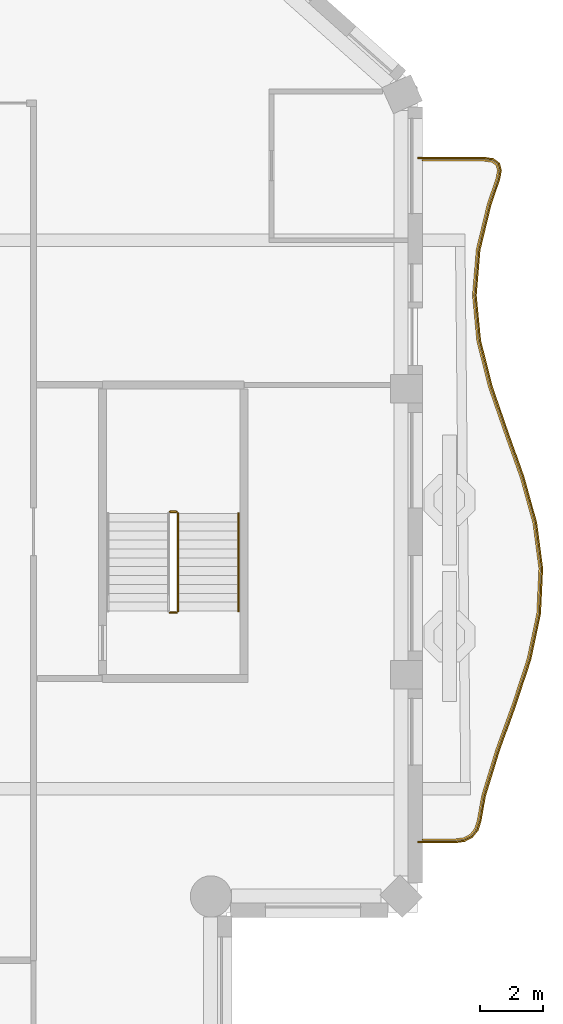
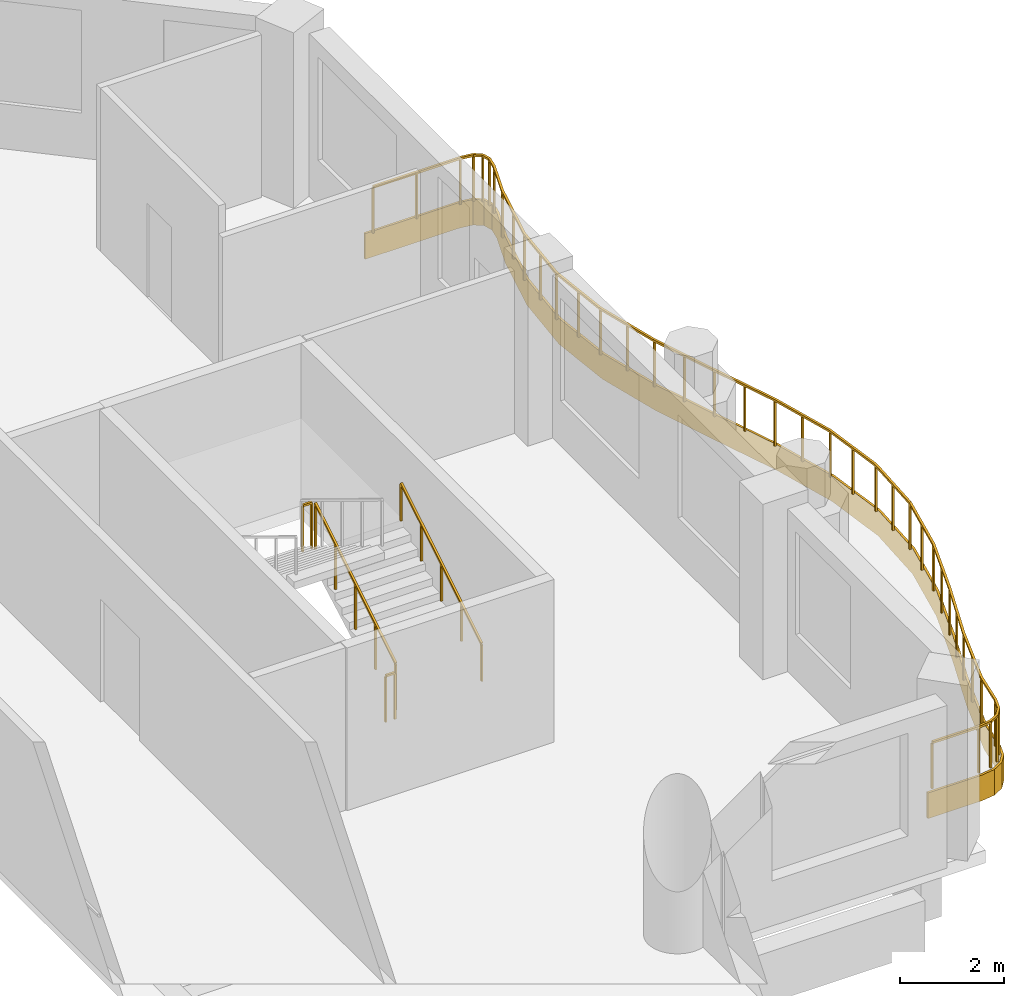
# One storey, part 13 of 15: 5 railings, 1 covering.
"""IFC4 building model written with IfcOpenShell, lengths in metres."""

from ifc_helpers import new_model, si_unit, direction, frame, origin, origin_2d, place, context, subcontext, project, spatial, polyline, rectangle, outline, extrude, material, layer, layer_set, type_object, element, save


model = new_model("IFC4")

# Units and contexts
model_context = context("Model", 3, precision=1e-05, world=origin(), true_north=direction((0.0, 1.0)))
body_context = subcontext(model_context, "Body", "Model", "MODEL_VIEW")
ifc_project = project(units=[si_unit("LENGTHUNIT", "METRE"), si_unit("AREAUNIT", "SQUARE_METRE"), si_unit("VOLUMEUNIT", "CUBIC_METRE"), si_unit("PLANEANGLEUNIT", "RADIAN"), si_unit("MASSUNIT", "GRAM", prefix="KILO")], contexts=[model_context])

# Site, building, storey
site_placement = place(None, origin())
site = spatial("IfcSite", under=ifc_project, at=site_placement, CompositionType="ELEMENT")
building_placement = place(site_placement, origin())
building = spatial("IfcBuilding", under=site, at=building_placement, Name="Cypress Arch Tower", CompositionType="ELEMENT")
storey_placement = place(building_placement, frame((0.0, 0.0, 259.800048828125)))
storey = spatial("IfcBuildingStorey", under=building, at=storey_placement, Name="L58", CompositionType="ELEMENT", Elevation=259.800048828125)

# Covering
ifc_material_1 = material(Name="White powder-coated aluminium fascia", Category="aluminium")
ifc_layer = layer(ifc_material_1, 0.050048828125)
ifc_layer_set = layer_set([ifc_layer], Name="Balcony fascia BF50")
covering_type = type_object("IfcCoveringType", Name="Balcony fascia BF50", PredefinedType="CLADDING", material=ifc_layer_set)
covering_placement = place(storey_placement, frame((0.0, 0.0, -0.60009765625)))
element("IfcCovering", 1, at=covering_placement, inside=storey, type_object=covering_type, Name="Balcony fascia L58-C17", PredefinedType="CLADDING", context=body_context, shape_type="SweptSolid", body=[
    extrude(outline(polyline([(26.68017578125, 11.800048828125), (26.980224609375, 11.757568359375), (27.176025390625, 11.61962890625), (27.2431640625, 11.3896484375), (27.186279296875, 11.092041015625), (26.916015625, 10.302734375), (26.569580078125, 8.875244140625), (26.450439453125, 7.4501953125), (26.587158203125, 6.025146484375), (26.94677734375, 4.59765625), (27.442138671875, 3.16650390625), (27.952392578125, 1.731689453125), (28.35205078125, 0.29345703125), (28.542236328125, -1.14794921875), (28.4755859375, -2.58984375), (28.168701171875, -4.02978515625), (27.697509765625, -5.46630859375), (27.1787109375, -6.899169921875), (26.7392578125, -8.328369140625), (26.59912109375, -9.1171875), (26.504150390625, -9.4111328125), (26.33349609375, -9.6279296875), (26.090087890625, -9.758056640625), (25.7841796875, -9.800048828125), (24.60107421875, -9.800048828125), (24.60107421875, -9.75), (25.78076171875, -9.75), (26.074462890625, -9.709716796875), (26.300537109375, -9.5888671875), (26.459228515625, -9.38720703125), (26.55029296875, -9.10498046875), (26.6904296875, -8.316650390625), (27.13134765625, -6.88330078125), (27.650390625, -5.449951171875), (28.1201171875, -4.0166015625), (28.42578125, -2.583251953125), (28.4921875, -1.14990234375), (28.302978515625, 0.283447265625), (27.90478515625, 1.716552734375), (27.39501953125, 3.14990234375), (26.898681640625, 4.583251953125), (26.53759765625, 6.0166015625), (26.400146484375, 7.449951171875), (26.52001953125, 8.88330078125), (26.867919921875, 10.316650390625), (27.1376953125, 11.10498046875), (27.191650390625, 11.38720703125), (27.1328125, 11.5888671875), (26.961181640625, 11.709716796875), (26.6767578125, 11.75), (24.60107421875, 11.75), (24.60107421875, 11.800048828125), (26.68017578125, 11.800048828125)])), origin(), (0.0, 0.0, 1.0), 0.60009765625),
])

# Railings
ifc_material_2 = material(Name="Powder-coated steel posts and rods, 100 mm clear between rods", Category="steel")
railing_type_1 = type_object("IfcRailingType", Name="Balcony guard GR1100", PredefinedType="GUARDRAIL", material=ifc_material_2)
railing_1_placement = place(storey_placement, frame((24.75, 11.699951171875, 0.0)))
element("IfcRailing", 2, at=railing_1_placement, inside=storey, type_object=railing_type_1, Name="Balcony guard L58-C17", PredefinedType="GUARDRAIL", context=body_context, shape_type="SweptSolid", body=[
    extrude(rectangle(XDim=0.050048828125, YDim=0.050048828125, at=origin_2d()), frame((0.0, 0.0, 1.0751953125), z_axis=(1.0, 0.0, 0.0), x_axis=(0.0, 1.0, 0.0)), (0.0, 0.0, 1.0), 1.92333984375),
    extrude(rectangle(XDim=0.050048828125, YDim=0.050048828125, at=origin_2d()), frame((1.92333984375, 0.0, 1.0751953125), z_axis=(0.990128391125, -0.140163365713, 0.0), x_axis=(0.140163365713, 0.990128391125, 0.0)), (0.0, 0.0, 1.0), 0.271728515625),
    extrude(rectangle(XDim=0.050048828125, YDim=0.050048828125, at=origin_2d()), frame((2.1923828125, -0.0380859375, 1.0751953125), z_axis=(0.817192775019, -0.576364440659, 0.0), x_axis=(0.576364440659, 0.817192775019, 0.0)), (0.0, 0.0, 1.0), 0.180419921875),
    extrude(rectangle(XDim=0.050048828125, YDim=0.050048828125, at=origin_2d()), frame((2.33984375, -0.14208984375, 1.0751953125), z_axis=(0.280259940984, -0.95992414569, 0.0), x_axis=(0.95992414569, 0.280259940984, 0.0)), (0.0, 0.0, 1.0), 0.180419921875),
    extrude(rectangle(XDim=0.050048828125, YDim=0.050048828125, at=origin_2d()), frame((2.390380859375, -0.315185546875, 1.0751953125), z_axis=(-0.18781405479, -0.982204602322, 0.0), x_axis=(0.982204602322, -0.18781405479, 0.0)), (0.0, 0.0, 1.0), 0.271728515625),
    extrude(rectangle(XDim=0.050048828125, YDim=0.050048828125, at=origin_2d()), frame((2.33935546875, -0.58203125, 1.0751953125), z_axis=(-0.323874276522, -0.946100128426, 0.0), x_axis=(0.946100128426, -0.323874276522, 0.0)), (0.0, 0.0, 1.0), 0.832275390625),
    extrude(rectangle(XDim=0.050048828125, YDim=0.050048828125, at=origin_2d()), frame((2.06982421875, -1.369384765625, 1.0751953125), z_axis=(-0.235897255412, -0.971778001855, 0.0), x_axis=(0.971778001855, -0.235897255412, 0.0)), (0.0, 0.0, 1.0), 1.48095703125),
    extrude(rectangle(XDim=0.050048828125, YDim=0.050048828125, at=origin_2d()), frame((1.720458984375, -2.80859375, 1.0751953125), z_axis=(-0.083366698614, -0.996518937884, 0.0), x_axis=(0.996518937884, -0.083366698614, 0.0)), (0.0, 0.0, 1.0), 1.44677734375),
    extrude(rectangle(XDim=0.050048828125, YDim=0.050048828125, at=origin_2d()), frame((1.599853515625, -4.250244140625, 1.0751953125), z_axis=(0.09558071033, -0.995421683415, 0.0), x_axis=(0.995421683415, 0.09558071033, 0.0)), (0.0, 0.0, 1.0), 1.4482421875),
    extrude(rectangle(XDim=0.050048828125, YDim=0.050048828125, at=origin_2d()), frame((1.73828125, -5.69189453125, 1.0751953125), z_axis=(0.24431593072, -0.969695687315, 0.0), x_axis=(0.969695687315, 0.24431593072, 0.0)), (0.0, 0.0, 1.0), 1.48388671875),
    extrude(rectangle(XDim=0.050048828125, YDim=0.050048828125, at=origin_2d()), frame((2.100830078125, -7.130859375, 1.0751953125), z_axis=(0.327198876846, -0.944955498947, 0.0), x_axis=(0.944955498947, 0.327198876846, 0.0)), (0.0, 0.0, 1.0), 1.519287109375),
    extrude(rectangle(XDim=0.050048828125, YDim=0.050048828125, at=origin_2d()), frame((2.597900390625, -8.56640625, 1.0751953125), z_axis=(0.335104742792, -0.942180880382, 0.0), x_axis=(0.942180880382, 0.335104742792, 0.0)), (0.0, 0.0, 1.0), 1.519775390625),
    extrude(rectangle(XDim=0.050048828125, YDim=0.050048828125, at=origin_2d()), frame((3.107177734375, -9.998291015625, 1.0751953125), z_axis=(0.267643863786, -0.96351790963, 0.0), x_axis=(0.96351790963, 0.267643863786, 0.0)), (0.0, 0.0, 1.0), 1.482421875),
    extrude(rectangle(XDim=0.050048828125, YDim=0.050048828125, at=origin_2d()), frame((3.50390625, -11.426513671875, 1.0751953125), z_axis=(0.13090688288, -0.991394668139, 0.0), x_axis=(0.991394668139, 0.13090688288, 0.0)), (0.0, 0.0, 1.0), 1.43798828125),
    extrude(rectangle(XDim=0.050048828125, YDim=0.050048828125, at=origin_2d()), frame((3.692138671875, -12.85205078125, 1.0751953125), z_axis=(-0.046385931084, -0.998923593373, 0.0), x_axis=(0.998923593373, -0.046385931084, 0.0)), (0.0, 0.0, 1.0), 1.42626953125),
    extrude(rectangle(XDim=0.050048828125, YDim=0.050048828125, at=origin_2d()), frame((3.6259765625, -14.27685546875, 1.0751953125), z_axis=(-0.20852322051, -0.97801741626, 0.0), x_axis=(0.97801741626, -0.20852322051, 0.0)), (0.0, 0.0, 1.0), 1.458740234375),
    extrude(rectangle(XDim=0.050048828125, YDim=0.050048828125, at=origin_2d()), frame((3.32177734375, -15.70361328125, 1.0751953125), z_axis=(-0.311502638206, -0.950245287487, 0.0), x_axis=(0.950245287487, -0.311502638206, 0.0)), (0.0, 0.0, 1.0), 1.5048828125),
    extrude(rectangle(XDim=0.050048828125, YDim=0.050048828125, at=origin_2d()), frame((2.85302734375, -17.133544921875, 1.0751953125), z_axis=(-0.340380071037, -0.940287938475, 0.0), x_axis=(0.940287938475, -0.340380071037, 0.0)), (0.0, 0.0, 1.0), 1.52490234375),
    extrude(rectangle(XDim=0.050048828125, YDim=0.050048828125, at=origin_2d()), frame((2.333984375, -18.5673828125, 1.0751953125), z_axis=(-0.293983183143, -0.955810592131, 0.0), x_axis=(0.955810592131, -0.293983183143, 0.0)), (0.0, 0.0, 1.0), 1.50390625),
    extrude(rectangle(XDim=0.050048828125, YDim=0.050048828125, at=origin_2d()), frame((1.891845703125, -20.0048828125, 1.0751953125), z_axis=(-0.175125344841, -0.984546145995, 0.0), x_axis=(0.984546145995, -0.175125344841, 0.0)), (0.0, 0.0, 1.0), 0.80029296875),
    extrude(rectangle(XDim=0.050048828125, YDim=0.050048828125, at=origin_2d()), frame((1.751708984375, -20.792724609375, 1.0751953125), z_axis=(-0.306676473275, -0.951813816216, 0.0), x_axis=(0.951813816216, -0.306676473275, 0.0)), (0.0, 0.0, 1.0), 0.2841796875),
    extrude(rectangle(XDim=0.050048828125, YDim=0.050048828125, at=origin_2d()), frame((1.66455078125, -21.063232421875, 1.0751953125), z_axis=(-0.618775972519, -0.785567499221, 0.0), x_axis=(0.785567499221, -0.618775972519, 0.0)), (0.0, 0.0, 1.0), 0.237060546875),
    extrude(rectangle(XDim=0.050048828125, YDim=0.050048828125, at=origin_2d()), frame((1.517822265625, -21.24951171875, 1.0751953125), z_axis=(-0.881724858893, -0.471764001604, 0.0), x_axis=(0.471764001604, -0.881724858893, 0.0)), (0.0, 0.0, 1.0), 0.237060546875),
    extrude(rectangle(XDim=0.050048828125, YDim=0.050048828125, at=origin_2d()), frame((1.308837890625, -21.361328125, 1.0751953125), z_axis=(-0.990741063369, -0.135765037305, 0.0), x_axis=(0.135765037305, -0.990741063369, 0.0)), (0.0, 0.0, 1.0), 0.2841796875),
    extrude(rectangle(XDim=0.050048828125, YDim=0.050048828125, at=origin_2d()), frame((1.02734375, -21.39990234375, 1.0751953125), z_axis=(-1.0, 0.0, 0.0), x_axis=(0.0, -1.0, 0.0)), (0.0, 0.0, 1.0), 1.02734375),
    extrude(rectangle(XDim=0.0400390625, YDim=0.0400390625, at=origin_2d()), origin(), (0.0, 0.0, 1.0), 1.050048828125),
    extrude(rectangle(XDim=0.0400390625, YDim=0.0400390625, at=origin_2d()), frame((0.961669921875, 0.0, 0.0)), (0.0, 0.0, 1.0), 1.050048828125),
    extrude(rectangle(XDim=0.0400390625, YDim=0.0400390625, at=origin_2d()), frame((1.92333984375, 0.0, 0.0)), (0.0, 0.0, 1.0), 1.050048828125),
    extrude(rectangle(XDim=0.0400390625, YDim=0.0400390625, at=origin_2d()), frame((2.1923828125, -0.0380859375, 0.0)), (0.0, 0.0, 1.0), 1.050048828125),
    extrude(rectangle(XDim=0.0400390625, YDim=0.0400390625, at=origin_2d()), frame((2.33984375, -0.14208984375, 0.0)), (0.0, 0.0, 1.0), 1.050048828125),
    extrude(rectangle(XDim=0.0400390625, YDim=0.0400390625, at=origin_2d()), frame((2.390380859375, -0.315185546875, 0.0)), (0.0, 0.0, 1.0), 1.050048828125),
    extrude(rectangle(XDim=0.0400390625, YDim=0.0400390625, at=origin_2d()), frame((2.33935546875, -0.58203125, 0.0)), (0.0, 0.0, 1.0), 1.050048828125),
    extrude(rectangle(XDim=0.0400390625, YDim=0.0400390625, at=origin_2d()), frame((2.06982421875, -1.369384765625, 0.0)), (0.0, 0.0, 1.0), 1.050048828125),
    extrude(rectangle(XDim=0.0400390625, YDim=0.0400390625, at=origin_2d()), frame((1.89501953125, -2.0888671875, 0.0)), (0.0, 0.0, 1.0), 1.050048828125),
    extrude(rectangle(XDim=0.0400390625, YDim=0.0400390625, at=origin_2d()), frame((1.720458984375, -2.80859375, 0.0)), (0.0, 0.0, 1.0), 1.050048828125),
    extrude(rectangle(XDim=0.0400390625, YDim=0.0400390625, at=origin_2d()), frame((1.66015625, -3.529296875, 0.0)), (0.0, 0.0, 1.0), 1.050048828125),
    extrude(rectangle(XDim=0.0400390625, YDim=0.0400390625, at=origin_2d()), frame((1.599853515625, -4.250244140625, 0.0)), (0.0, 0.0, 1.0), 1.050048828125),
    extrude(rectangle(XDim=0.0400390625, YDim=0.0400390625, at=origin_2d()), frame((1.6689453125, -4.97119140625, 0.0)), (0.0, 0.0, 1.0), 1.050048828125),
    extrude(rectangle(XDim=0.0400390625, YDim=0.0400390625, at=origin_2d()), frame((1.73828125, -5.69189453125, 0.0)), (0.0, 0.0, 1.0), 1.050048828125),
    extrude(rectangle(XDim=0.0400390625, YDim=0.0400390625, at=origin_2d()), frame((1.91943359375, -6.411376953125, 0.0)), (0.0, 0.0, 1.0), 1.050048828125),
    extrude(rectangle(XDim=0.0400390625, YDim=0.0400390625, at=origin_2d()), frame((2.100830078125, -7.130859375, 0.0)), (0.0, 0.0, 1.0), 1.050048828125),
    extrude(rectangle(XDim=0.0400390625, YDim=0.0400390625, at=origin_2d()), frame((2.349365234375, -7.8486328125, 0.0)), (0.0, 0.0, 1.0), 1.050048828125),
    extrude(rectangle(XDim=0.0400390625, YDim=0.0400390625, at=origin_2d()), frame((2.597900390625, -8.56640625, 0.0)), (0.0, 0.0, 1.0), 1.050048828125),
    extrude(rectangle(XDim=0.0400390625, YDim=0.0400390625, at=origin_2d()), frame((2.8525390625, -9.2822265625, 0.0)), (0.0, 0.0, 1.0), 1.050048828125),
    extrude(rectangle(XDim=0.0400390625, YDim=0.0400390625, at=origin_2d()), frame((3.107177734375, -9.998291015625, 0.0)), (0.0, 0.0, 1.0), 1.050048828125),
    extrude(rectangle(XDim=0.0400390625, YDim=0.0400390625, at=origin_2d()), frame((3.3056640625, -10.71240234375, 0.0)), (0.0, 0.0, 1.0), 1.050048828125),
    extrude(rectangle(XDim=0.0400390625, YDim=0.0400390625, at=origin_2d()), frame((3.50390625, -11.426513671875, 0.0)), (0.0, 0.0, 1.0), 1.050048828125),
    extrude(rectangle(XDim=0.0400390625, YDim=0.0400390625, at=origin_2d()), frame((3.59814453125, -12.13916015625, 0.0)), (0.0, 0.0, 1.0), 1.050048828125),
    extrude(rectangle(XDim=0.0400390625, YDim=0.0400390625, at=origin_2d()), frame((3.692138671875, -12.85205078125, 0.0)), (0.0, 0.0, 1.0), 1.050048828125),
    extrude(rectangle(XDim=0.0400390625, YDim=0.0400390625, at=origin_2d()), frame((3.6591796875, -13.564453125, 0.0)), (0.0, 0.0, 1.0), 1.050048828125),
    extrude(rectangle(XDim=0.0400390625, YDim=0.0400390625, at=origin_2d()), frame((3.6259765625, -14.27685546875, 0.0)), (0.0, 0.0, 1.0), 1.050048828125),
    extrude(rectangle(XDim=0.0400390625, YDim=0.0400390625, at=origin_2d()), frame((3.473876953125, -14.990234375, 0.0)), (0.0, 0.0, 1.0), 1.050048828125),
    extrude(rectangle(XDim=0.0400390625, YDim=0.0400390625, at=origin_2d()), frame((3.32177734375, -15.70361328125, 0.0)), (0.0, 0.0, 1.0), 1.050048828125),
    extrude(rectangle(XDim=0.0400390625, YDim=0.0400390625, at=origin_2d()), frame((3.08740234375, -16.41845703125, 0.0)), (0.0, 0.0, 1.0), 1.050048828125),
    extrude(rectangle(XDim=0.0400390625, YDim=0.0400390625, at=origin_2d()), frame((2.85302734375, -17.133544921875, 0.0)), (0.0, 0.0, 1.0), 1.050048828125),
    extrude(rectangle(XDim=0.0400390625, YDim=0.0400390625, at=origin_2d()), frame((2.593505859375, -17.8505859375, 0.0)), (0.0, 0.0, 1.0), 1.050048828125),
    extrude(rectangle(XDim=0.0400390625, YDim=0.0400390625, at=origin_2d()), frame((2.333984375, -18.5673828125, 0.0)), (0.0, 0.0, 1.0), 1.050048828125),
    extrude(rectangle(XDim=0.0400390625, YDim=0.0400390625, at=origin_2d()), frame((2.11279296875, -19.2861328125, 0.0)), (0.0, 0.0, 1.0), 1.050048828125),
    extrude(rectangle(XDim=0.0400390625, YDim=0.0400390625, at=origin_2d()), frame((1.891845703125, -20.0048828125, 0.0)), (0.0, 0.0, 1.0), 1.050048828125),
    extrude(rectangle(XDim=0.0400390625, YDim=0.0400390625, at=origin_2d()), frame((1.751708984375, -20.792724609375, 0.0)), (0.0, 0.0, 1.0), 1.050048828125),
    extrude(rectangle(XDim=0.0400390625, YDim=0.0400390625, at=origin_2d()), frame((1.66455078125, -21.063232421875, 0.0)), (0.0, 0.0, 1.0), 1.050048828125),
    extrude(rectangle(XDim=0.0400390625, YDim=0.0400390625, at=origin_2d()), frame((1.517822265625, -21.24951171875, 0.0)), (0.0, 0.0, 1.0), 1.050048828125),
    extrude(rectangle(XDim=0.0400390625, YDim=0.0400390625, at=origin_2d()), frame((1.308837890625, -21.361328125, 0.0)), (0.0, 0.0, 1.0), 1.050048828125),
    extrude(rectangle(XDim=0.0400390625, YDim=0.0400390625, at=origin_2d()), frame((1.02734375, -21.39990234375, 0.0)), (0.0, 0.0, 1.0), 1.050048828125),
    extrude(rectangle(XDim=0.0400390625, YDim=0.0400390625, at=origin_2d()), frame((0.0, -21.39990234375, 0.0)), (0.0, 0.0, 1.0), 1.050048828125),
])
ifc_material_3 = material(Name="Black powder-coated steel square bar 48 mm", Category="steel")
railing_type_2 = type_object("IfcRailingType", Name="Stair handrail HR1", PredefinedType="HANDRAIL", material=ifc_material_3)
railing_2_placement = place(storey_placement, frame((18.949951171875, -2.5, 0.1708984375)))
element("IfcRailing", 3, at=railing_2_placement, inside=storey, type_object=railing_type_2, Name="L58 C stair handrail 1", PredefinedType="HANDRAIL", context=body_context, shape_type="SweptSolid", body=[
    extrude(rectangle(XDim=0.048095703125, YDim=0.048095703125, at=origin_2d()), frame((0.0, 0.0, 0.8759765625), z_axis=(0.0, 0.853666305674, 0.52082035152), x_axis=(-1.0, 0.0, 0.0)), (0.0, 0.0, 1.0), 3.608154296875),
    extrude(rectangle(XDim=0.0419921875, YDim=0.0419921875, at=origin_2d()), origin(), (0.0, 0.0, 1.0), 0.851806640625),
    extrude(rectangle(XDim=0.0419921875, YDim=0.0419921875, at=origin_2d()), frame((0.0, 0.77001953125, 0.4697265625)), (0.0, 0.0, 1.0), 0.851806640625),
    extrude(rectangle(XDim=0.0419921875, YDim=0.0419921875, at=origin_2d()), frame((0.0, 1.5400390625, 0.939453125)), (0.0, 0.0, 1.0), 0.851806640625),
    extrude(rectangle(XDim=0.0419921875, YDim=0.0419921875, at=origin_2d()), frame((0.0, 2.31005859375, 1.409423828125)), (0.0, 0.0, 1.0), 0.851806640625),
    extrude(rectangle(XDim=0.0419921875, YDim=0.0419921875, at=origin_2d()), frame((0.0, 3.080078125, 1.879150390625)), (0.0, 0.0, 1.0), 0.851806640625),
])
ifc_material_4 = material(Name="Black powder-coated steel balusters", Category="steel")
railing_type_3 = type_object("IfcRailingType", Name="Stair well guard G1", PredefinedType="GUARDRAIL", material=ifc_material_4)
railing_3_placement = place(storey_placement, frame((17.050048828125, -2.5, 0.1708984375)))
element("IfcRailing", 4, at=railing_3_placement, inside=storey, type_object=railing_type_3, Name="L58 C stair guard 1", PredefinedType="GUARDRAIL", context=body_context, shape_type="SweptSolid", body=[
    extrude(rectangle(XDim=0.048095703125, YDim=0.048095703125, at=origin_2d()), frame((0.0, 0.0, 1.076171875), z_axis=(0.0, 0.853666305674, 0.52082035152), x_axis=(-1.0, 0.0, 0.0)), (0.0, 0.0, 1.0), 3.608154296875),
    extrude(rectangle(XDim=0.0419921875, YDim=0.0419921875, at=origin_2d()), origin(), (0.0, 0.0, 1.0), 1.052001953125),
    extrude(rectangle(XDim=0.0419921875, YDim=0.0419921875, at=origin_2d()), frame((0.0, 0.77001953125, 0.4697265625)), (0.0, 0.0, 1.0), 1.052001953125),
    extrude(rectangle(XDim=0.0419921875, YDim=0.0419921875, at=origin_2d()), frame((0.0, 1.5400390625, 0.939453125)), (0.0, 0.0, 1.0), 1.052001953125),
    extrude(rectangle(XDim=0.0419921875, YDim=0.0419921875, at=origin_2d()), frame((0.0, 2.31005859375, 1.409423828125)), (0.0, 0.0, 1.0), 1.052001953125),
    extrude(rectangle(XDim=0.0419921875, YDim=0.0419921875, at=origin_2d()), frame((0.0, 3.080078125, 1.879150390625)), (0.0, 0.0, 1.0), 1.052001953125),
])
for number, where, name in (
    (5, (17.0, 0.6298828125, 2.050048828125), "L58 C stair guard 2"),
    (6, (17.0, -2.550048828125, 0.0), "L58 C stair guard 4"),
):
    element("IfcRailing", number, at=place(storey_placement, frame(where)), inside=storey, type_object=railing_type_3, Name=name, PredefinedType="GUARDRAIL", context=body_context, shape_type="SweptSolid", body=[
        extrude(rectangle(XDim=0.048095703125, YDim=0.048095703125, at=origin_2d()), frame((0.0, 0.0, 1.076171875), z_axis=(-1.0, 0.0, 0.0), x_axis=(0.0, -1.0, 0.0)), (0.0, 0.0, 1.0), 0.199951171875),
        extrude(rectangle(XDim=0.0419921875, YDim=0.0419921875, at=origin_2d()), origin(), (0.0, 0.0, 1.0), 1.052001953125),
        extrude(rectangle(XDim=0.0419921875, YDim=0.0419921875, at=origin_2d()), frame((-0.199951171875, 0.0, 0.0)), (0.0, 0.0, 1.0), 1.052001953125),
    ])

save(model, "model.ifc")
